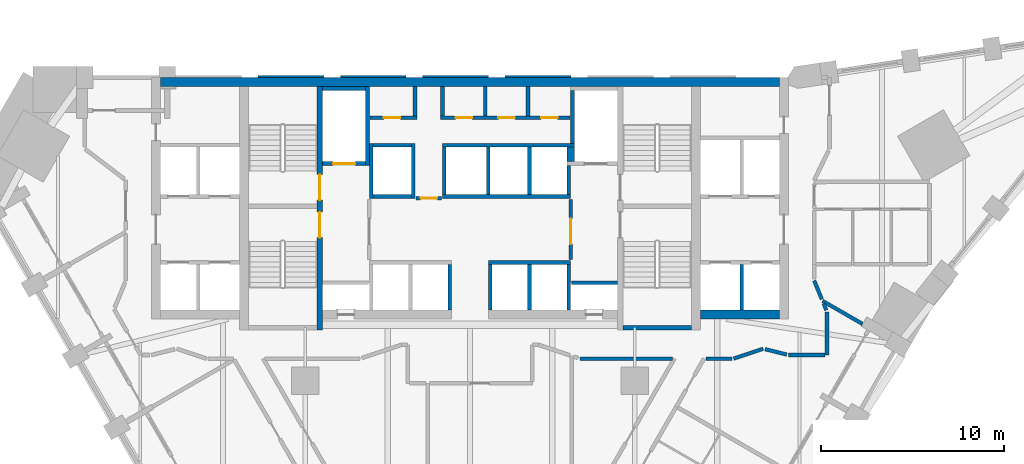
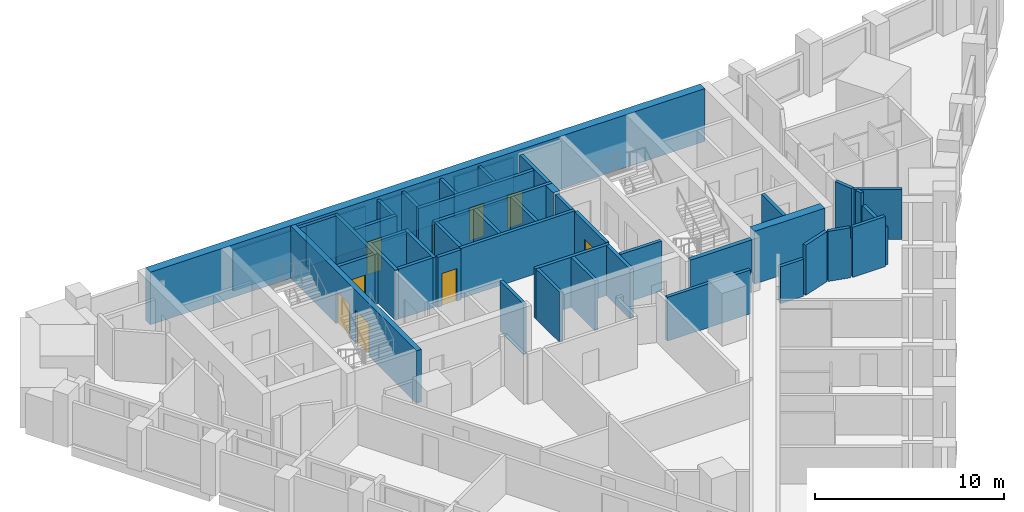
# One storey, part 7 of 11: 47 walls, 9 doors, 9 openings.
"""IFC4 building model written with IfcOpenShell, lengths in metres."""

from ifc_helpers import new_model, si_unit, direction, frame, frame_2d, origin, place, context, subcontext, project, spatial, polyline, rectangle, outline, extrude, material, layer, layer_set, type_object, element, fill, save


model = new_model("IFC4")

# Units and contexts
model_context = context("Model", 3, precision=1e-05, world=origin(), true_north=direction((0.0, 1.0)))
body_context = subcontext(model_context, "Body", "Model", "MODEL_VIEW")
ifc_project = project(units=[si_unit("LENGTHUNIT", "METRE"), si_unit("AREAUNIT", "SQUARE_METRE"), si_unit("VOLUMEUNIT", "CUBIC_METRE"), si_unit("PLANEANGLEUNIT", "RADIAN"), si_unit("MASSUNIT", "GRAM", prefix="KILO")], contexts=[model_context])

# Site, building, storey
site_placement = place(None, origin())
site = spatial("IfcSite", under=ifc_project, at=site_placement, CompositionType="ELEMENT")
building_placement = place(site_placement, origin())
building = spatial("IfcBuilding", under=site, at=building_placement, Name="Calabash Gate Tower", CompositionType="ELEMENT")
storey_placement = place(building_placement, frame((0.0, 0.0, 112.199951171875)))
storey = spatial("IfcBuildingStorey", under=building, at=storey_placement, Name="L25", CompositionType="ELEMENT", Elevation=112.199951171875)

# Walls
ifc_material_1 = material(Name="Gypsum board on steel studs, mineral wool", Category="steel")
ifc_layer_1 = layer(ifc_material_1, 0.199951171875)
ifc_layer_set_1 = layer_set([ifc_layer_1], Name="Core partition 200 gypsum board")
wall_type_1 = type_object("IfcWallType", Name="Core partition 200 gypsum board", PredefinedType="PARTITIONING", material=ifc_layer_set_1)
for number, where, z_axis, x_axis, name in (
    (1, (-3.0, 16.95263671875, 0.0), (0.0, 0.0, 1.0), (0.0, 1.0, 0.0), "Core partition"),
    (2, (-1.5, 16.95263671875, 0.0), (0.0, 0.0, 1.0), (0.0, 1.0, 0.0), "Core partition"),
    (3, (0.833251953125, 16.95263671875, 0.0), (0.0, 0.0, 1.0), (0.0, 1.0, 0.0), "Core partition"),
    (4, (3.166748046875, 16.95263671875, 0.0), (0.0, 0.0, 1.0), (0.0, 1.0, 0.0), "Core partition"),
):
    element("IfcWall", number, at=place(storey_placement, frame(where, z_axis=z_axis, x_axis=x_axis)), inside=storey, type_object=wall_type_1, Name=name, PredefinedType="PARTITIONING", context=body_context, shape_type="SweptSolid", body=[
        extrude(rectangle(XDim=1.599853515625, YDim=0.199951171875, at=frame_2d((0.7998046875, 0.0))), origin(), (0.0, 0.0, 1.0), 3.22998046875),
    ])
ifc_material_2 = material(Name="Concrete C80/95", Category="concrete")
ifc_layer_2 = layer(ifc_material_2, 0.25)
ifc_layer_set_2 = layer_set([ifc_layer_2], Name="Core wall 250 Concrete C80/95")
wall_type_2 = type_object("IfcWallType", Name="Core wall 250 Concrete C80/95", PredefinedType="SHEAR", material=ifc_layer_set_2)
wall_1_placement = place(storey_placement, frame((8.35009765625, 5.377685546875, 0.0), z_axis=(0.0, 0.0, 1.0), x_axis=(1.0, 0.0, 0.0)))
element("IfcWall", 5, at=wall_1_placement, inside=storey, type_object=wall_type_2, Name="Core wall Z2-SSE L25", PredefinedType="SHEAR", context=body_context, shape_type="SweptSolid", body=[
    extrude(rectangle(XDim=3.75, YDim=0.25, at=frame_2d((1.875, 0.0))), origin(), (0.0, 0.0, 1.0), 3.400146484375),
])

# Wall, openings, doors
ifc_material_3 = material(Name="Concrete C80/95", Category="concrete")
ifc_layer_3 = layer(ifc_material_3, 0.300048828125)
ifc_layer_set_3 = layer_set([ifc_layer_3], Name="Core wall 300 Concrete C80/95")
wall_type_3 = type_object("IfcWallType", Name="Core wall 300 Concrete C80/95", PredefinedType="SHEAR", material=ifc_layer_set_3)
wall_2_placement = place(storey_placement, frame((-8.199951171875, 5.252685546875, 0.0), z_axis=(0.0, 0.0, 1.0), x_axis=(0.0, 1.0, 0.0)))
wall_2 = element("IfcWall", 6, at=wall_2_placement, inside=storey, type_object=wall_type_3, Name="Core wall Z2-PARTW L25", PredefinedType="SHEAR", context=body_context, shape_type="SweptSolid", body=[
    extrude(rectangle(XDim=13.2998046875, YDim=0.300048828125, at=frame_2d((6.64990234375, 0.0))), origin(), (0.0, 0.0, 1.0), 3.400146484375),
])
opening_1_placement = place(wall_2_placement, frame((7.10009765625, 0.0, 0.0)))
opening_1 = element("IfcOpeningElement", 7, at=opening_1_placement, cuts=wall_2, Name="Opening H7-014", PredefinedType="OPENING", context=body_context, shape_type="SweptSolid", body=[
    extrude(rectangle(XDim=1.39990234375, YDim=2.10009765625, at=frame_2d((0.699951171875, 1.050048828125))), frame((0.0, 0.159912109375, 0.0), z_axis=(0.0, -1.0, 0.0), x_axis=(1.0, 0.0, 0.0)), (0.0, 0.0, 1.0), 0.320068359375),
])
opening_2_placement = place(wall_2_placement, frame((5.050048828125, 0.0, 0.0)))
opening_2 = element("IfcOpeningElement", 8, at=opening_2_placement, cuts=wall_2, Name="Opening H7-015", PredefinedType="OPENING", context=body_context, shape_type="SweptSolid", body=[
    extrude(rectangle(XDim=1.39990234375, YDim=2.10009765625, at=frame_2d((0.699951171875, 1.050048828125))), frame((0.0, 0.159912109375, 0.0), z_axis=(0.0, -1.0, 0.0), x_axis=(1.0, 0.0, 0.0)), (0.0, 0.0, 1.0), 0.320068359375),
])
ifc_material_4 = material(Name="Steel fire door set with fire-resisting glazing", Category="steel")
door_type_1 = type_object("IfcDoorType", Name="Fire door D05 1400x2100 FD90", OperationType="NOTDEFINED", PredefinedType="DOOR", material=ifc_material_4)
door_1_placement = place(opening_1_placement, origin())
door_1 = element("IfcDoor", 9, at=door_1_placement, inside=storey, type_object=door_type_1, Name="Exit stair door ST1", OperationType="SINGLE_SWING_LEFT", OverallHeight=2.10009765625, OverallWidth=1.39990234375, PredefinedType="DOOR", context=body_context, shape_type="SweptSolid", body=[
    extrude(rectangle(XDim=1.39990234375, YDim=2.10009765625, at=frame_2d((0.699951171875, 1.050048828125))), frame((0.0, 0.02490234375, 0.0), z_axis=(0.0, -1.0, 0.0), x_axis=(1.0, 0.0, 0.0)), (0.0, 0.0, 1.0), 0.050048828125),
])
fill(opening_1, door_1)
door_2_placement = place(opening_2_placement, origin())
door_2 = element("IfcDoor", 10, at=door_2_placement, inside=storey, type_object=door_type_1, Name="Exit stair door ST2", OperationType="SINGLE_SWING_LEFT", OverallHeight=2.10009765625, OverallWidth=1.39990234375, PredefinedType="DOOR", context=body_context, shape_type="SweptSolid", body=[
    extrude(rectangle(XDim=1.39990234375, YDim=2.10009765625, at=frame_2d((0.699951171875, 1.050048828125))), frame((0.0, 0.02490234375, 0.0), z_axis=(0.0, -1.0, 0.0), x_axis=(1.0, 0.0, 0.0)), (0.0, 0.0, 1.0), 0.050048828125),
])
fill(opening_2, door_2)

# Walls
ifc_material_5 = material(Name="Concrete C80/95", Category="concrete")
ifc_layer_4 = layer(ifc_material_5, 0.5)
ifc_layer_set_4 = layer_set([ifc_layer_4], Name="Core wall 500 Concrete C80/95")
wall_type_4 = type_object("IfcWallType", Name="Core wall 500 Concrete C80/95", PredefinedType="SHEAR", material=ifc_layer_set_4)
wall_3_placement = place(storey_placement, frame((-16.89990234375, 18.802490234375, 0.0), z_axis=(0.0, 0.0, 1.0), x_axis=(1.0, 0.0, 0.0)))
element("IfcWall", 11, at=wall_3_placement, inside=storey, type_object=wall_type_4, Name="Core wall Z2-N L25", PredefinedType="SHEAR", context=body_context, shape_type="SweptSolid", body=[
    extrude(rectangle(XDim=33.7998046875, YDim=0.5, at=frame_2d((16.89990234375, 0.0))), origin(), (0.0, 0.0, 1.0), 3.400146484375),
])
wall_4_placement = place(storey_placement, frame((12.60009765625, 6.1025390625, 0.0), z_axis=(0.0, 0.0, 1.0), x_axis=(1.0, 0.0, 0.0)))
element("IfcWall", 12, at=wall_4_placement, inside=storey, type_object=wall_type_4, Name="Core wall Z2-SE L25", PredefinedType="SHEAR", context=body_context, shape_type="SweptSolid", body=[
    extrude(rectangle(XDim=4.2998046875, YDim=0.5, at=frame_2d((2.14990234375, 0.0))), origin(), (0.0, 0.0, 1.0), 3.400146484375),
])
ifc_material_6 = material(Name="Gypsum board on steel studs, mineral wool", Category="steel")
ifc_layer_5 = layer(ifc_material_6, 0.199951171875)
ifc_layer_set_5 = layer_set([ifc_layer_5], Name="Partition 200 gypsum board EI 60")
wall_type_5 = type_object("IfcWallType", Name="Partition 200 gypsum board EI 60", PredefinedType="PARTITIONING", material=ifc_layer_set_5)
wall_5_placement = place(storey_placement, frame((6.0, 3.69970703125, 0.0), z_axis=(0.0, 0.0, 1.0), x_axis=(1.0, 0.0, 0.0)))
element("IfcWall", 13, at=wall_5_placement, inside=storey, type_object=wall_type_5, Name="Partition", PredefinedType="PARTITIONING", context=body_context, shape_type="SweptSolid", body=[
    extrude(rectangle(XDim=5.064697265625, YDim=0.199951171875, at=frame_2d((2.5322265625, 0.0))), origin(), (0.0, 0.0, 1.0), 2.83154296875),
])
wall_6_placement = place(storey_placement, frame((12.8818359375, 3.699462890625, 0.0), z_axis=(0.0, 0.0, 1.0), x_axis=(1.0, 0.0, 0.0)))
element("IfcWall", 14, at=wall_6_placement, inside=storey, type_object=wall_type_5, Name="Partition", PredefinedType="PARTITIONING", context=body_context, shape_type="SweptSolid", body=[
    extrude(rectangle(XDim=1.418212890625, YDim=0.199951171875, at=frame_2d((0.708984375, 0.0))), origin(), (0.0, 0.0, 1.0), 2.384033203125),
])
wall_7_placement = place(storey_placement, frame((17.39990234375, 3.8994140625, 0.0), z_axis=(0.0, 0.0, 1.0), x_axis=(0.999999992551, 0.000122055412, 0.0)))
element("IfcWall", 15, at=wall_7_placement, inside=storey, type_object=wall_type_5, Name="Partition", PredefinedType="PARTITIONING", context=body_context, shape_type="SweptSolid", body=[
    extrude(rectangle(XDim=2.000244140625, YDim=0.199951171875, at=frame_2d((1.0, 0.0))), origin(), (0.0, 0.0, 1.0), 3.22998046875),
])
wall_8_placement = place(storey_placement, frame((16.11328125, 4.21435546875, 0.0), z_axis=(0.0, 0.0, 1.0), x_axis=(0.971349931971, -0.237653760039, 0.0)))
element("IfcWall", 16, at=wall_8_placement, inside=storey, type_object=wall_type_5, Name="Partition", PredefinedType="PARTITIONING", context=body_context, shape_type="SweptSolid", body=[
    extrude(rectangle(XDim=1.224609375, YDim=0.199951171875, at=frame_2d((0.6123046875, 0.0))), origin(), (0.0, 0.0, 1.0), 3.22998046875),
])
wall_9_placement = place(storey_placement, frame((14.400146484375, 3.699462890625, 0.0), z_axis=(0.0, 0.0, 1.0), x_axis=(0.948654629562, 0.31631375849, 0.0)))
element("IfcWall", 17, at=wall_9_placement, inside=storey, type_object=wall_type_5, Name="Partition", PredefinedType="PARTITIONING", context=body_context, shape_type="SweptSolid", body=[
    extrude(rectangle(XDim=1.703369140625, YDim=0.199951171875, at=frame_2d((0.8515625, 0.0))), origin(), (0.0, 0.0, 1.0), 3.22998046875),
])
wall_10_placement = place(storey_placement, frame((19.25537109375, 6.85205078125, 0.0), z_axis=(0.0, 0.0, 1.0), x_axis=(0.866364592695, -0.499412046835, 0.0)))
element("IfcWall", 18, at=wall_10_placement, inside=storey, type_object=wall_type_5, Name="Partition", PredefinedType="PARTITIONING", context=body_context, shape_type="SweptSolid", body=[
    extrude(rectangle(XDim=2.51953125, YDim=0.199951171875, at=frame_2d((1.259765625, 0.0))), origin(), (0.0, 0.0, 1.0), 3.22998046875),
])
wall_11_placement = place(storey_placement, frame((19.500244140625, 3.899658203125, 0.0), z_axis=(0.0, 0.0, 1.0), x_axis=(0.000103755965, 0.999999994617, 0.0)))
element("IfcWall", 19, at=wall_11_placement, inside=storey, type_object=wall_type_5, Name="Partition", PredefinedType="PARTITIONING", context=body_context, shape_type="SweptSolid", body=[
    extrude(rectangle(XDim=2.35302734375, YDim=0.199951171875, at=frame_2d((1.176513671875, 0.0))), origin(), (0.0, 0.0, 1.0), 2.4501953125),
])
wall_12_placement = place(storey_placement, frame((19.317138671875, 6.700927734375, 0.0), z_axis=(0.0, 0.0, 1.0), x_axis=(0.378608110245, -0.925557074878, 0.0)))
element("IfcWall", 20, at=wall_12_placement, inside=storey, type_object=wall_type_5, Name="Partition", PredefinedType="PARTITIONING", context=body_context, shape_type="SweptSolid", body=[
    extrude(rectangle(XDim=0.38427734375, YDim=0.199951171875, at=frame_2d((0.192138671875, 0.0))), origin(), (0.0, 0.0, 1.0), 3.22998046875),
])
wall_13_placement = place(storey_placement, frame((18.800537109375, 7.95263671875, 0.0), z_axis=(0.0, 0.0, 1.0), x_axis=(0.381856038323, -0.924221816447, 0.0)))
element("IfcWall", 21, at=wall_13_placement, inside=storey, type_object=wall_type_5, Name="Partition", PredefinedType="PARTITIONING", context=body_context, shape_type="SweptSolid", body=[
    extrude(rectangle(XDim=1.087646484375, YDim=0.199951171875, at=frame_2d((0.5439453125, 0.0))), origin(), (0.0, 0.0, 1.0), 3.22998046875),
])
ifc_material_7 = material(Name="Concrete C40/50", Category="concrete")
ifc_layer_6 = layer(ifc_material_7, 0.199951171875)
ifc_layer_set_6 = layer_set([ifc_layer_6], Name="Shaft wall 200 Concrete C40/50")
wall_type_6 = type_object("IfcWallType", Name="Shaft wall 200 Concrete C40/50", PredefinedType="SOLIDWALL", material=ifc_layer_set_6)
for number, where, z_axis, x_axis, name in (
    (22, (-1.10009765625, 6.3525390625, 0.0), (0.0, 0.0, 1.0), (0.0, 1.0, 0.0), "Shaft wall"),
    (23, (1.10009765625, 6.3525390625, 0.0), (0.0, 0.0, 1.0), (0.0, 1.0, 0.0), "Shaft wall"),
    (24, (3.25, 6.3525390625, 0.0), (0.0, 0.0, 1.0), (0.0, 1.0, 0.0), "Shaft wall"),
    (25, (5.39990234375, 6.3525390625, 0.0), (0.0, 0.0, 1.0), (0.0, 1.0, 0.0), "Shaft wall"),
    (26, (14.85009765625, 6.3525390625, 0.0), (0.0, 0.0, 1.0), (0.0, 1.0, 0.0), "Shaft wall"),
    (27, (5.550048828125, 7.8525390625, 0.0), (0.0, 0.0, 1.0), (1.0, 0.0, 0.0), "Shaft wall"),
):
    element("IfcWall", number, at=place(storey_placement, frame(where, z_axis=z_axis, x_axis=x_axis)), inside=storey, type_object=wall_type_6, Name=name, PredefinedType="SOLIDWALL", context=body_context, shape_type="SweptSolid", body=[
        extrude(rectangle(XDim=2.5, YDim=0.199951171875, at=frame_2d((1.25, 0.0))), origin(), (0.0, 0.0, 1.0), 3.22998046875),
    ])
wall_14_placement = place(storey_placement, frame((1.0, 8.95263671875, 0.0), z_axis=(0.0, 0.0, 1.0), x_axis=(1.0, 0.0, 0.0)))
element("IfcWall", 28, at=wall_14_placement, inside=storey, type_object=wall_type_6, Name="Shaft wall", PredefinedType="SOLIDWALL", context=body_context, shape_type="SweptSolid", body=[
    extrude(rectangle(XDim=4.5, YDim=0.199951171875, at=frame_2d((2.25, 0.0))), origin(), (0.0, 0.0, 1.0), 3.22998046875),
])

# Wall, opening, door
wall_15_placement = place(storey_placement, frame((5.5, 9.1025390625, 0.0), z_axis=(0.0, 0.0, 1.0), x_axis=(0.0, 1.0, 0.0)))
wall_15 = element("IfcWall", 29, at=wall_15_placement, inside=storey, type_object=wall_type_6, Name="Shaft wall", PredefinedType="SOLIDWALL", context=body_context, shape_type="SweptSolid", body=[
    extrude(rectangle(XDim=3.300048828125, YDim=0.199951171875, at=frame_2d((1.64990234375, 0.0))), origin(), (0.0, 0.0, 1.0), 3.22998046875),
])
opening_3_placement = place(wall_15_placement, frame((0.85009765625, 0.0, 0.0)))
opening_3 = element("IfcOpeningElement", 30, at=opening_3_placement, cuts=wall_15, Name="Opening H7-006", PredefinedType="OPENING", context=body_context, shape_type="SweptSolid", body=[
    extrude(rectangle(XDim=1.39990234375, YDim=2.10009765625, at=frame_2d((0.699951171875, 1.050048828125))), frame((0.0, 0.10986328125, 0.0), z_axis=(0.0, -1.0, 0.0), x_axis=(1.0, 0.0, 0.0)), (0.0, 0.0, 1.0), 0.219970703125),
])
door_3_placement = place(opening_3_placement, origin())
door_3 = element("IfcDoor", 31, at=door_3_placement, inside=storey, type_object=door_type_1, Name="Firefighting Lobby E door", OperationType="SINGLE_SWING_LEFT", OverallHeight=2.10009765625, OverallWidth=1.39990234375, PredefinedType="DOOR", context=body_context, shape_type="SweptSolid", body=[
    extrude(rectangle(XDim=1.39990234375, YDim=2.10009765625, at=frame_2d((0.699951171875, 1.050048828125))), frame((0.0, 0.02490234375, 0.0), z_axis=(0.0, -1.0, 0.0), x_axis=(1.0, 0.0, 0.0)), (0.0, 0.0, 1.0), 0.050048828125),
])
fill(opening_3, door_3)

wall_16_placement = place(storey_placement, frame((-2.949951171875, 12.45263671875, 0.0), z_axis=(0.0, 0.0, 1.0), x_axis=(1.0, 0.0, 0.0)))
wall_16 = element("IfcWall", 32, at=wall_16_placement, inside=storey, type_object=wall_type_6, Name="Shaft wall", PredefinedType="SOLIDWALL", context=body_context, shape_type="SweptSolid", body=[
    extrude(rectangle(XDim=1.39990234375, YDim=0.199951171875, at=frame_2d((0.699951171875, 0.0))), origin(), (0.0, 0.0, 1.0), 3.22998046875),
])
opening_4_placement = place(wall_16_placement, frame((0.25, 0.0, 0.0)))
opening_4 = element("IfcOpeningElement", 33, at=opening_4_placement, cuts=wall_16, Name="Opening H7-005", PredefinedType="OPENING", context=body_context, shape_type="SweptSolid", body=[
    extrude(rectangle(XDim=0.89990234375, YDim=2.10009765625, at=frame_2d((0.449951171875, 1.050048828125))), frame((0.0, 0.10986328125, 0.0), z_axis=(0.0, -1.0, 0.0), x_axis=(1.0, 0.0, 0.0)), (0.0, 0.0, 1.0), 0.219970703125),
])
ifc_material_8 = material(Name="Steel fire door set with fire-resisting glazing", Category="steel")
door_type_2 = type_object("IfcDoorType", Name="Fire door D06 900x2100 FD60", OperationType="NOTDEFINED", PredefinedType="DOOR", material=ifc_material_8)
door_4_placement = place(opening_4_placement, origin())
door_4 = element("IfcDoor", 34, at=door_4_placement, inside=storey, type_object=door_type_2, Name="Service Corridor door", OperationType="SINGLE_SWING_RIGHT", OverallHeight=2.10009765625, OverallWidth=0.89990234375, PredefinedType="DOOR", context=body_context, shape_type="SweptSolid", body=[
    extrude(rectangle(XDim=0.89990234375, YDim=2.10009765625, at=frame_2d((0.449951171875, 1.050048828125))), frame((0.0, 0.02490234375, 0.0), z_axis=(0.0, -1.0, 0.0), x_axis=(1.0, 0.0, 0.0)), (0.0, 0.0, 1.0), 0.050048828125),
])
fill(opening_4, door_4)

# Walls
wall_17_placement = place(storey_placement, frame((-5.39990234375, 12.45263671875, 0.0), z_axis=(0.0, 0.0, 1.0), x_axis=(0.0, 1.0, 0.0)))
element("IfcWall", 35, at=wall_17_placement, inside=storey, type_object=wall_type_6, Name="Shaft wall", PredefinedType="SOLIDWALL", context=body_context, shape_type="SweptSolid", body=[
    extrude(rectangle(XDim=3.0, YDim=0.199951171875, at=frame_2d((1.5, 0.0))), origin(), (0.0, 0.0, 1.0), 3.22998046875),
])
wall_18_placement = place(storey_placement, frame((-5.300048828125, 12.552490234375, 0.0), z_axis=(0.0, 0.0, 1.0), x_axis=(1.0, 0.0, 0.0)))
element("IfcWall", 36, at=wall_18_placement, inside=storey, type_object=wall_type_6, Name="Shaft wall", PredefinedType="SOLIDWALL", context=body_context, shape_type="SweptSolid", body=[
    extrude(rectangle(XDim=2.10009765625, YDim=0.199951171875, at=frame_2d((1.050048828125, 0.0))), origin(), (0.0, 0.0, 1.0), 3.22998046875),
])
wall_19_placement = place(storey_placement, frame((-3.10009765625, 12.45263671875, 0.0), z_axis=(0.0, 0.0, 1.0), x_axis=(0.0, 1.0, 0.0)))
element("IfcWall", 37, at=wall_19_placement, inside=storey, type_object=wall_type_6, Name="Shaft wall", PredefinedType="SOLIDWALL", context=body_context, shape_type="SweptSolid", body=[
    extrude(rectangle(XDim=3.0, YDim=0.199951171875, at=frame_2d((1.5, 0.0))), origin(), (0.0, 0.0, 1.0), 3.22998046875),
])
wall_20_placement = place(storey_placement, frame((-1.5, 12.552490234375, 0.0), z_axis=(0.0, 0.0, 1.0), x_axis=(1.0, 0.0, 0.0)))
element("IfcWall", 38, at=wall_20_placement, inside=storey, type_object=wall_type_6, Name="Shaft wall", PredefinedType="SOLIDWALL", context=body_context, shape_type="SweptSolid", body=[
    extrude(rectangle(XDim=7.0, YDim=0.199951171875, at=frame_2d((3.5, 0.0))), origin(), (0.0, 0.0, 1.0), 3.22998046875),
])
for number, where, z_axis, x_axis, name in (
    (39, (-1.39990234375, 12.652587890625, 0.0), (0.0, 0.0, 1.0), (0.0, 1.0, 0.0), "Shaft wall"),
    (40, (1.0, 12.652587890625, 0.0), (0.0, 0.0, 1.0), (0.0, 1.0, 0.0), "Shaft wall"),
    (41, (3.25, 12.652587890625, 0.0), (0.0, 0.0, 1.0), (0.0, 1.0, 0.0), "Shaft wall"),
):
    element("IfcWall", number, at=place(storey_placement, frame(where, z_axis=z_axis, x_axis=x_axis)), inside=storey, type_object=wall_type_6, Name=name, PredefinedType="SOLIDWALL", context=body_context, shape_type="SweptSolid", body=[
        extrude(rectangle(XDim=2.60009765625, YDim=0.199951171875, at=frame_2d((1.300048828125, 0.0))), origin(), (0.0, 0.0, 1.0), 3.22998046875),
    ])
wall_21_placement = place(storey_placement, frame((5.39990234375, 12.652587890625, 0.0), z_axis=(0.0, 0.0, 1.0), x_axis=(0.0, 1.0, 0.0)))
element("IfcWall", 42, at=wall_21_placement, inside=storey, type_object=wall_type_6, Name="Shaft wall", PredefinedType="SOLIDWALL", context=body_context, shape_type="SweptSolid", body=[
    extrude(rectangle(XDim=1.60009765625, YDim=0.199951171875, at=frame_2d((0.800048828125, 0.0))), origin(), (0.0, 0.0, 1.0), 3.22998046875),
])

# Wall, opening, door
wall_22_placement = place(storey_placement, frame((-8.050048828125, 14.3525390625, 0.0), z_axis=(0.0, 0.0, 1.0), x_axis=(1.0, 0.0, 0.0)))
wall_22 = element("IfcWall", 43, at=wall_22_placement, inside=storey, type_object=wall_type_6, Name="Shaft wall", PredefinedType="SOLIDWALL", context=body_context, shape_type="SweptSolid", body=[
    extrude(rectangle(XDim=2.35009765625, YDim=0.199951171875, at=frame_2d((1.175048828125, 0.0))), origin(), (0.0, 0.0, 1.0), 3.22998046875),
])
opening_5_placement = place(wall_22_placement, frame((0.574951171875, 0.0, 0.0)))
opening_5 = element("IfcOpeningElement", 44, at=opening_5_placement, cuts=wall_22, Name="Opening LD-FF1", PredefinedType="OPENING", context=body_context, shape_type="SweptSolid", body=[
    extrude(rectangle(XDim=1.199951171875, YDim=2.10009765625, at=frame_2d((0.60009765625, 1.050048828125))), frame((0.0, 0.10986328125, 0.0), z_axis=(0.0, -1.0, 0.0), x_axis=(1.0, 0.0, 0.0)), (0.0, 0.0, 1.0), 0.219970703125),
])
ifc_material_9 = material(Name="Stainless steel sliding door leaves", Category="steel")
door_type_3 = type_object("IfcDoorType", Name="Lift landing door LS3 1200x2100 FD90", OperationType="DOUBLE_DOOR_SLIDING", PredefinedType="DOOR", material=ifc_material_9)
door_5_placement = place(opening_5_placement, origin())
door_5 = element("IfcDoor", 45, at=door_5_placement, inside=storey, type_object=door_type_3, Name="Lift landing door FF1", OperationType="DOUBLE_DOOR_SLIDING", OverallHeight=2.10009765625, OverallWidth=1.199951171875, PredefinedType="DOOR", context=body_context, shape_type="SweptSolid", body=[
    extrude(rectangle(XDim=1.199951171875, YDim=2.10009765625, at=frame_2d((0.60009765625, 1.050048828125))), frame((0.0, 0.02490234375, 0.0), z_axis=(0.0, -1.0, 0.0), x_axis=(1.0, 0.0, 0.0)), (0.0, 0.0, 1.0), 0.050048828125),
])
fill(opening_5, door_5)

# Walls
wall_23_placement = place(storey_placement, frame((-5.60009765625, 14.252685546875, 0.0), z_axis=(0.0, 0.0, 1.0), x_axis=(0.0, 1.0, 0.0)))
element("IfcWall", 46, at=wall_23_placement, inside=storey, type_object=wall_type_6, Name="Shaft wall", PredefinedType="SOLIDWALL", context=body_context, shape_type="SweptSolid", body=[
    extrude(rectangle(XDim=4.2998046875, YDim=0.199951171875, at=frame_2d((2.14990234375, 0.0))), origin(), (0.0, 0.0, 1.0), 3.22998046875),
])
wall_24_placement = place(storey_placement, frame((5.5, 14.45263671875, 0.0), z_axis=(0.0, 0.0, 1.0), x_axis=(0.0, 1.0, 0.0)))
element("IfcWall", 47, at=wall_24_placement, inside=storey, type_object=wall_type_6, Name="Shaft wall", PredefinedType="SOLIDWALL", context=body_context, shape_type="SweptSolid", body=[
    extrude(rectangle(XDim=0.800048828125, YDim=0.39990234375, at=frame_2d((0.39990234375, 0.0))), origin(), (0.0, 0.0, 1.0), 3.22998046875),
])
wall_25_placement = place(storey_placement, frame((-5.300048828125, 15.3525390625, 0.0), z_axis=(0.0, 0.0, 1.0), x_axis=(1.0, 0.0, 0.0)))
element("IfcWall", 48, at=wall_25_placement, inside=storey, type_object=wall_type_6, Name="Shaft wall", PredefinedType="SOLIDWALL", context=body_context, shape_type="SweptSolid", body=[
    extrude(rectangle(XDim=2.10009765625, YDim=0.199951171875, at=frame_2d((1.050048828125, 0.0))), origin(), (0.0, 0.0, 1.0), 3.22998046875),
])
wall_26_placement = place(storey_placement, frame((-1.5, 15.3525390625, 0.0), z_axis=(0.0, 0.0, 1.0), x_axis=(1.0, 0.0, 0.0)))
element("IfcWall", 49, at=wall_26_placement, inside=storey, type_object=wall_type_6, Name="Shaft wall", PredefinedType="SOLIDWALL", context=body_context, shape_type="SweptSolid", body=[
    extrude(rectangle(XDim=7.199951171875, YDim=0.199951171875, at=frame_2d((3.60009765625, 0.0))), origin(), (0.0, 0.0, 1.0), 3.22998046875),
])
wall_27_placement = place(storey_placement, frame((5.60009765625, 15.45263671875, 0.0), z_axis=(0.0, 0.0, 1.0), x_axis=(0.0, 1.0, 0.0)))
element("IfcWall", 50, at=wall_27_placement, inside=storey, type_object=wall_type_6, Name="Shaft wall", PredefinedType="SOLIDWALL", context=body_context, shape_type="SweptSolid", body=[
    extrude(rectangle(XDim=2.89990234375, YDim=0.199951171875, at=frame_2d((1.449951171875, 0.0))), origin(), (0.0, 0.0, 1.0), 3.22998046875),
])

# Wall, opening, door
wall_28_placement = place(storey_placement, frame((-5.449951171875, 16.8525390625, 0.0), z_axis=(0.0, 0.0, 1.0), x_axis=(1.0, 0.0, 0.0)))
wall_28 = element("IfcWall", 51, at=wall_28_placement, inside=storey, type_object=wall_type_6, Name="Shaft wall", PredefinedType="SOLIDWALL", context=body_context, shape_type="SweptSolid", body=[
    extrude(rectangle(XDim=2.550048828125, YDim=0.199951171875, at=frame_2d((1.27490234375, 0.0))), origin(), (0.0, 0.0, 1.0), 3.22998046875),
])
opening_6_placement = place(wall_28_placement, frame((0.75, 0.0, 0.0)))
opening_6 = element("IfcOpeningElement", 52, at=opening_6_placement, cuts=wall_28, Name="Opening H7-008", PredefinedType="OPENING", context=body_context, shape_type="SweptSolid", body=[
    extrude(rectangle(XDim=0.89990234375, YDim=2.10009765625, at=frame_2d((0.449951171875, 1.050048828125))), frame((0.0, 0.10986328125, 0.0), z_axis=(0.0, -1.0, 0.0), x_axis=(1.0, 0.0, 0.0)), (0.0, 0.0, 1.0), 0.219970703125),
])
door_6_placement = place(opening_6_placement, origin())
door_6 = element("IfcDoor", 53, at=door_6_placement, inside=storey, type_object=door_type_2, Name="Housekeeping Store door", OperationType="SINGLE_SWING_LEFT", OverallHeight=2.10009765625, OverallWidth=0.89990234375, PredefinedType="DOOR", context=body_context, shape_type="SweptSolid", body=[
    extrude(rectangle(XDim=0.89990234375, YDim=2.10009765625, at=frame_2d((0.449951171875, 1.050048828125))), frame((0.0, 0.02490234375, 0.0), z_axis=(0.0, -1.0, 0.0), x_axis=(1.0, 0.0, 0.0)), (0.0, 0.0, 1.0), 0.050048828125),
])
fill(opening_6, door_6)

# Wall, openings, doors
wall_29_placement = place(storey_placement, frame((-1.60009765625, 16.8525390625, 0.0), z_axis=(0.0, 0.0, 1.0), x_axis=(1.0, 0.0, 0.0)))
wall_29 = element("IfcWall", 54, at=wall_29_placement, inside=storey, type_object=wall_type_6, Name="Shaft wall", PredefinedType="SOLIDWALL", context=body_context, shape_type="SweptSolid", body=[
    extrude(rectangle(XDim=7.050048828125, YDim=0.199951171875, at=frame_2d((3.52490234375, 0.0))), origin(), (0.0, 0.0, 1.0), 3.22998046875),
])
opening_7_placement = place(wall_29_placement, frame((0.816650390625, 0.0, 0.0)))
opening_7 = element("IfcOpeningElement", 55, at=opening_7_placement, cuts=wall_29, Name="Opening H7-009", PredefinedType="OPENING", context=body_context, shape_type="SweptSolid", body=[
    extrude(rectangle(XDim=0.89990234375, YDim=2.10009765625, at=frame_2d((0.449951171875, 1.050048828125))), frame((0.0, 0.10986328125, 0.0), z_axis=(0.0, -1.0, 0.0), x_axis=(1.0, 0.0, 0.0)), (0.0, 0.0, 1.0), 0.219970703125),
])
opening_8_placement = place(wall_29_placement, frame((3.14990234375, 0.0, 0.0)))
opening_8 = element("IfcOpeningElement", 56, at=opening_8_placement, cuts=wall_29, Name="Opening H7-010", PredefinedType="OPENING", context=body_context, shape_type="SweptSolid", body=[
    extrude(rectangle(XDim=0.89990234375, YDim=2.10009765625, at=frame_2d((0.449951171875, 1.050048828125))), frame((0.0, 0.10986328125, 0.0), z_axis=(0.0, -1.0, 0.0), x_axis=(1.0, 0.0, 0.0)), (0.0, 0.0, 1.0), 0.219970703125),
])
opening_9_placement = place(wall_29_placement, frame((5.4833984375, 0.0, 0.0)))
opening_9 = element("IfcOpeningElement", 57, at=opening_9_placement, cuts=wall_29, Name="Opening H7-011", PredefinedType="OPENING", context=body_context, shape_type="SweptSolid", body=[
    extrude(rectangle(XDim=0.89990234375, YDim=2.10009765625, at=frame_2d((0.449951171875, 1.050048828125))), frame((0.0, 0.10986328125, 0.0), z_axis=(0.0, -1.0, 0.0), x_axis=(1.0, 0.0, 0.0)), (0.0, 0.0, 1.0), 0.219970703125),
])
door_7_placement = place(opening_7_placement, origin())
door_7 = element("IfcDoor", 58, at=door_7_placement, inside=storey, type_object=door_type_2, Name="Linen Store door", OperationType="SINGLE_SWING_LEFT", OverallHeight=2.10009765625, OverallWidth=0.89990234375, PredefinedType="DOOR", context=body_context, shape_type="SweptSolid", body=[
    extrude(rectangle(XDim=0.89990234375, YDim=2.10009765625, at=frame_2d((0.449951171875, 1.050048828125))), frame((0.0, 0.02490234375, 0.0), z_axis=(0.0, -1.0, 0.0), x_axis=(1.0, 0.0, 0.0)), (0.0, 0.0, 1.0), 0.050048828125),
])
fill(opening_7, door_7)
door_8_placement = place(opening_8_placement, origin())
door_8 = element("IfcDoor", 59, at=door_8_placement, inside=storey, type_object=door_type_2, Name="Ice and Vending door", OperationType="SINGLE_SWING_LEFT", OverallHeight=2.10009765625, OverallWidth=0.89990234375, PredefinedType="DOOR", context=body_context, shape_type="SweptSolid", body=[
    extrude(rectangle(XDim=0.89990234375, YDim=2.10009765625, at=frame_2d((0.449951171875, 1.050048828125))), frame((0.0, 0.02490234375, 0.0), z_axis=(0.0, -1.0, 0.0), x_axis=(1.0, 0.0, 0.0)), (0.0, 0.0, 1.0), 0.050048828125),
])
fill(opening_8, door_8)
door_9_placement = place(opening_9_placement, origin())
door_9 = element("IfcDoor", 60, at=door_9_placement, inside=storey, type_object=door_type_2, Name="Cleaner's Store door", OperationType="SINGLE_SWING_RIGHT", OverallHeight=2.10009765625, OverallWidth=0.89990234375, PredefinedType="DOOR", context=body_context, shape_type="SweptSolid", body=[
    extrude(rectangle(XDim=0.89990234375, YDim=2.10009765625, at=frame_2d((0.449951171875, 1.050048828125))), frame((0.0, 0.02490234375, 0.0), z_axis=(0.0, -1.0, 0.0), x_axis=(1.0, 0.0, 0.0)), (0.0, 0.0, 1.0), 0.050048828125),
])
fill(opening_9, door_9)

# Walls
wall_30_placement = place(storey_placement, frame((-8.050048828125, 18.45263671875, 0.0), z_axis=(0.0, 0.0, 1.0), x_axis=(1.0, 0.0, 0.0)))
element("IfcWall", 61, at=wall_30_placement, inside=storey, type_object=wall_type_6, Name="Shaft wall", PredefinedType="SOLIDWALL", context=body_context, shape_type="SweptSolid", body=[
    extrude(rectangle(XDim=2.35009765625, YDim=0.199951171875, at=frame_2d((1.175048828125, 0.0))), origin(), (0.0, 0.0, 1.0), 3.22998046875),
])
ifc_material_10 = material(Name="Terracotta brick masonry, perforated", Category="masonry")
ifc_layer_7 = layer(ifc_material_10, 0.1201171875)
ifc_layer_set_7 = layer_set([ifc_layer_7], Name="Terracotta jaali cladding A 120")
wall_type_7 = type_object("IfcWallType", Name="Terracotta jaali cladding A 120", PredefinedType="SOLIDWALL", material=ifc_layer_set_7)
wall_31_placement = place(storey_placement, origin())
element("IfcWall", 62, at=wall_31_placement, inside=storey, type_object=wall_type_7, Name="Jaali cladding S07 N6.3", PredefinedType="SOLIDWALL", context=body_context, shape_type="SweptSolid", body=[
    extrude(outline(polyline([(1.9169921875, 19.172607421875), (1.9169921875, 19.052490234375), (5.51708984375, 19.052490234375), (5.51708984375, 19.172607421875), (1.9169921875, 19.172607421875)])), origin(), (0.0, 0.0, 1.0), 2.650146484375),
])
wall_32_placement = place(storey_placement, origin())
element("IfcWall", 63, at=wall_32_placement, inside=storey, type_object=wall_type_7, Name="Jaali cladding S07 N6.5", PredefinedType="SOLIDWALL", context=body_context, shape_type="SweptSolid", body=[
    extrude(outline(polyline([(-7.0830078125, 19.172607421875), (-7.0830078125, 19.052490234375), (-3.48291015625, 19.052490234375), (-3.48291015625, 19.172607421875), (-7.0830078125, 19.172607421875)])), origin(), (0.0, 0.0, 1.0), 2.650146484375),
])
ifc_material_11 = material(Name="Terracotta louvre blades in an aluminium frame", Category="masonry")
ifc_layer_8 = layer(ifc_material_11, 0.1201171875)
ifc_layer_set_8 = layer_set([ifc_layer_8], Name="Terracotta vent louvre cladding 120")
wall_type_8 = type_object("IfcWallType", Name="Terracotta vent louvre cladding 120", PredefinedType="ELEMENTEDWALL", material=ifc_layer_set_8)
wall_33_placement = place(storey_placement, origin())
element("IfcWall", 64, at=wall_33_placement, inside=storey, type_object=wall_type_8, Name="Vent louvre cladding S07 N6.4", PredefinedType="ELEMENTEDWALL", context=body_context, shape_type="SweptSolid", body=[
    extrude(outline(polyline([(-2.5830078125, 19.172607421875), (-2.5830078125, 19.052490234375), (1.01708984375, 19.052490234375), (1.01708984375, 19.172607421875), (-2.5830078125, 19.172607421875)])), origin(), (0.0, 0.0, 1.0), 2.650146484375),
])
wall_34_placement = place(storey_placement, origin())
element("IfcWall", 65, at=wall_34_placement, inside=storey, type_object=wall_type_8, Name="Vent louvre cladding S07 N6.6", PredefinedType="ELEMENTEDWALL", context=body_context, shape_type="SweptSolid", body=[
    extrude(outline(polyline([(-11.5830078125, 19.172607421875), (-11.5830078125, 19.052490234375), (-7.98291015625, 19.052490234375), (-7.98291015625, 19.172607421875), (-11.5830078125, 19.172607421875)])), origin(), (0.0, 0.0, 1.0), 2.650146484375),
])

save(model, "model.ifc")
